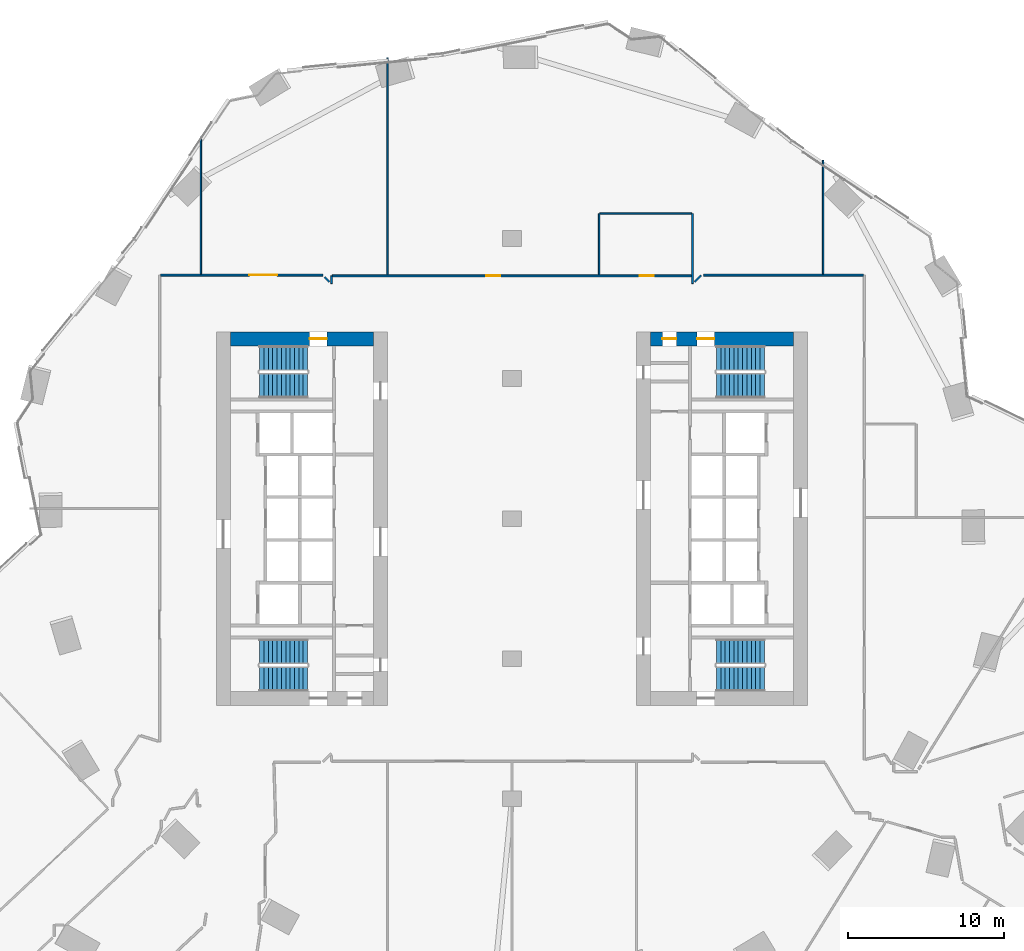
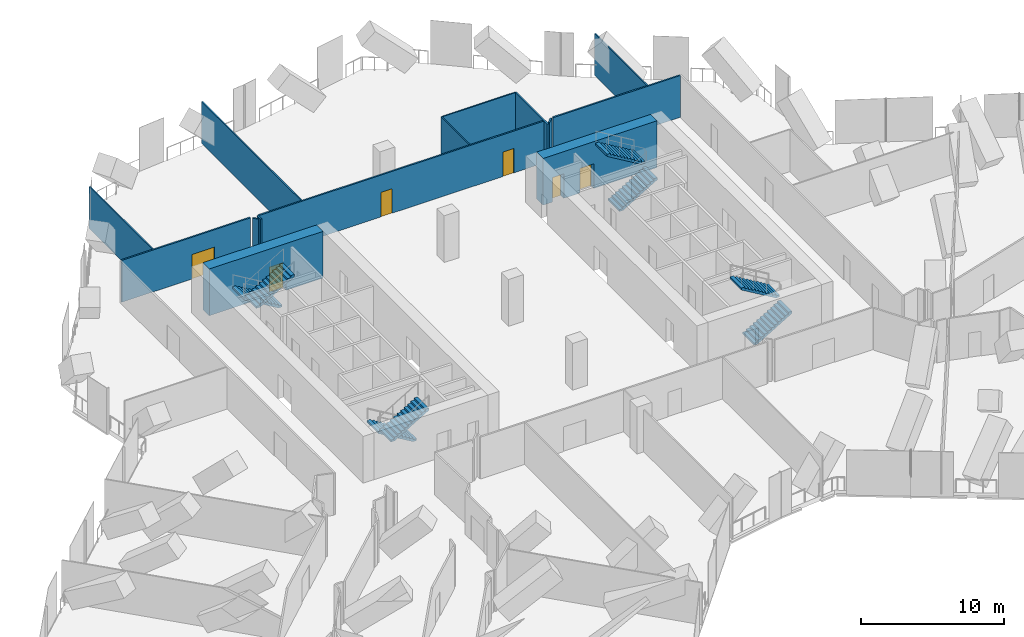
# One storey, part 28 of 31: 14 walls, 8 stair flights, 6 doors, 6 openings, 4 elements without a shape of their own.
"""IFC4 building model written with IfcOpenShell, lengths in metres."""

from ifc_helpers import new_model, si_unit, direction, frame, frame_2d, origin, place, context, subcontext, project, spatial, polyline, rectangle, outline, extrude, material, layer, layer_set, type_object, element, fill, aggregate, save


model = new_model("IFC4")

# Units and contexts
model_context = context("Model", 3, precision=1e-05, world=origin(), true_north=direction((0.0, 1.0)))
body_context = subcontext(model_context, "Body", "Model", "MODEL_VIEW")
ifc_project = project(units=[si_unit("LENGTHUNIT", "METRE"), si_unit("AREAUNIT", "SQUARE_METRE"), si_unit("VOLUMEUNIT", "CUBIC_METRE"), si_unit("PLANEANGLEUNIT", "RADIAN"), si_unit("MASSUNIT", "GRAM", prefix="KILO")], contexts=[model_context])

# Site, building, storey
site_placement = place(None, origin())
site = spatial("IfcSite", under=ifc_project, at=site_placement, CompositionType="ELEMENT")
building_placement = place(site_placement, origin())
building = spatial("IfcBuilding", under=site, at=building_placement, Name="Orlundy Tower", CompositionType="ELEMENT")
storey_placement = place(building_placement, frame((0.0, 0.0, 54.800048828125)))
storey = spatial("IfcBuildingStorey", under=building, at=storey_placement, Name="L12", CompositionType="ELEMENT", Elevation=54.800048828125)

# Wall, opening, door
ifc_material_1 = material(Name="Concrete C80/95", Category="concrete")
ifc_layer_1 = layer(ifc_material_1, 0.89990234375)
ifc_layer_set_1 = layer_set([ifc_layer_1], Name="CORE WALL 900 C80/95")
wall_type_1 = type_object("IfcWallType", Name="CORE WALL 900 C80/95", PredefinedType="SHEAR", material=ifc_layer_set_1)
wall_1_placement = place(storey_placement, frame((-18.10009765625, 11.550048828125, 0.0), z_axis=(0.0, 0.0, 1.0), x_axis=(1.0, 0.0, 0.0)))
wall_1 = element("IfcWall", 1, at=wall_1_placement, inside=storey, type_object=wall_type_1, Name="Core wall W-N L12", PredefinedType="SHEAR", context=body_context, shape_type="SweptSolid", body=[
    extrude(rectangle(XDim=9.2001953125, YDim=0.89990234375, at=frame_2d((4.60009765625, 0.0))), origin(), (0.0, 0.0, 1.0), 4.0),
])
opening_1_placement = place(wall_1_placement, frame((5.10009765625, 0.0, 0.0)))
opening_1 = element("IfcOpeningElement", 2, at=opening_1_placement, cuts=wall_1, Name="Opening 11012", PredefinedType="OPENING", context=body_context, shape_type="SweptSolid", body=[
    extrude(rectangle(XDim=1.10009765625, YDim=2.10009765625, at=frame_2d((0.550048828125, 1.050048828125))), frame((0.0, 0.4599609375, 0.0), z_axis=(0.0, -1.0, 0.0), x_axis=(1.0, 0.0, 0.0)), (0.0, 0.0, 1.0), 0.919921875),
])
ifc_material_2 = material(Name="Steel door set", Category="steel")
door_type_1 = type_object("IfcDoorType", Name="Stair Door 1100x2100", OperationType="SINGLE_SWING_LEFT", PredefinedType="DOOR", material=ifc_material_2)
door_1_placement = place(opening_1_placement, origin())
door_1 = element("IfcDoor", 3, at=door_1_placement, inside=storey, type_object=door_type_1, Name="Stair door 11012", OperationType="SINGLE_SWING_RIGHT", OverallHeight=2.10009765625, OverallWidth=1.10009765625, PredefinedType="DOOR", context=body_context, shape_type="SweptSolid", body=[
    extrude(rectangle(XDim=1.10009765625, YDim=2.10009765625, at=frame_2d((0.550048828125, 1.050048828125))), frame((0.0, 0.02490234375, 0.0), z_axis=(0.0, -1.0, 0.0), x_axis=(1.0, 0.0, 0.0)), (0.0, 0.0, 1.0), 0.050048828125),
])
fill(opening_1, door_1)

# Wall, openings, doors
wall_2_placement = place(storey_placement, frame((8.89990234375, 11.550048828125, 0.0), z_axis=(0.0, 0.0, 1.0), x_axis=(1.0, 0.0, 0.0)))
wall_2 = element("IfcWall", 4, at=wall_2_placement, inside=storey, type_object=wall_type_1, Name="Core wall E-N L12", PredefinedType="SHEAR", context=body_context, shape_type="SweptSolid", body=[
    extrude(rectangle(XDim=9.2001953125, YDim=0.89990234375, at=frame_2d((4.60009765625, 0.0))), origin(), (0.0, 0.0, 1.0), 4.0),
])
opening_2_placement = place(wall_2_placement, frame((3.0, 0.0, 0.0)))
opening_2 = element("IfcOpeningElement", 5, at=opening_2_placement, cuts=wall_2, Name="Opening 11062", PredefinedType="OPENING", context=body_context, shape_type="SweptSolid", body=[
    extrude(rectangle(XDim=1.10009765625, YDim=2.10009765625, at=frame_2d((0.550048828125, 1.050048828125))), frame((0.0, 0.4599609375, 0.0), z_axis=(0.0, -1.0, 0.0), x_axis=(1.0, 0.0, 0.0)), (0.0, 0.0, 1.0), 0.919921875),
])
opening_3_placement = place(wall_2_placement, frame((0.77001953125, 0.0, 0.0)))
opening_3 = element("IfcOpeningElement", 6, at=opening_3_placement, cuts=wall_2, Name="Opening 11064", PredefinedType="OPENING", context=body_context, shape_type="SweptSolid", body=[
    extrude(rectangle(XDim=0.89990234375, YDim=2.10009765625, at=frame_2d((0.449951171875, 1.050048828125))), frame((0.0, 0.4599609375, 0.0), z_axis=(0.0, -1.0, 0.0), x_axis=(1.0, 0.0, 0.0)), (0.0, 0.0, 1.0), 0.919921875),
])
ifc_material_3 = material(Name="Timber door set", Category="wood")
door_type_2 = type_object("IfcDoorType", Name="Room Door 900x2100", OperationType="SINGLE_SWING_LEFT", PredefinedType="DOOR", material=ifc_material_3)
door_2_placement = place(opening_3_placement, origin())
door_2 = element("IfcDoor", 7, at=door_2_placement, inside=storey, type_object=door_type_2, Name="Store door 11064", OperationType="SINGLE_SWING_LEFT", OverallHeight=2.10009765625, OverallWidth=0.89990234375, PredefinedType="DOOR", context=body_context, shape_type="SweptSolid", body=[
    extrude(rectangle(XDim=0.89990234375, YDim=2.10009765625, at=frame_2d((0.449951171875, 1.050048828125))), frame((0.0, 0.02490234375, 0.0), z_axis=(0.0, -1.0, 0.0), x_axis=(1.0, 0.0, 0.0)), (0.0, 0.0, 1.0), 0.050048828125),
])
fill(opening_3, door_2)
door_3_placement = place(opening_2_placement, origin())
door_3 = element("IfcDoor", 8, at=door_3_placement, inside=storey, type_object=door_type_1, Name="Stair door 11062", OperationType="SINGLE_SWING_LEFT", OverallHeight=2.10009765625, OverallWidth=1.10009765625, PredefinedType="DOOR", context=body_context, shape_type="SweptSolid", body=[
    extrude(rectangle(XDim=1.10009765625, YDim=2.10009765625, at=frame_2d((0.550048828125, 1.050048828125))), frame((0.0, 0.02490234375, 0.0), z_axis=(0.0, -1.0, 0.0), x_axis=(1.0, 0.0, 0.0)), (0.0, 0.0, 1.0), 0.050048828125),
])
fill(opening_2, door_3)

# Walls
ifc_material_4 = material(Name="Gypsum board partition")
ifc_layer_2 = layer(ifc_material_4, 0.10009765625)
ifc_layer_set_2 = layer_set([ifc_layer_2], Name="Floor partition 100")
wall_type_2 = type_object("IfcWallType", Name="Floor partition 100", PredefinedType="PARTITIONING", material=ifc_layer_set_2)
wall_3_placement = place(storey_placement, frame((5.64892578125, 19.60009765625, 0.0), z_axis=(0.0, 0.0, 1.0), x_axis=(1.0, 0.0, 0.0)))
element("IfcWall", 9, at=wall_3_placement, inside=storey, type_object=wall_type_2, Name="wall-int-L12-080", PredefinedType="PARTITIONING", context=body_context, shape_type="SweptSolid", body=[
    extrude(rectangle(XDim=5.88818359375, YDim=0.10009765625, at=frame_2d((2.944091796875, 0.0))), origin(), (0.0, 0.0, 1.0), 3.579833984375),
])
wall_4_placement = place(storey_placement, frame((20.0, 15.712890625, 0.0), z_axis=(0.0, 0.0, 1.0), x_axis=(0.0, 1.0, 0.0)))
element("IfcWall", 10, at=wall_4_placement, inside=storey, type_object=wall_type_2, Name="wall-int-L12-146", PredefinedType="PARTITIONING", context=body_context, shape_type="SweptSolid", body=[
    extrude(rectangle(XDim=7.31201171875, YDim=0.10009765625, at=frame_2d((3.656005859375, 0.0))), origin(), (0.0, 0.0, 1.0), 3.579833984375),
])
wall_5_placement = place(storey_placement, frame((5.59912109375, 15.6640625, 0.0), z_axis=(0.0, 0.0, 1.0), x_axis=(0.0, 1.0, 0.0)))
element("IfcWall", 11, at=wall_5_placement, inside=storey, type_object=wall_type_2, Name="wall-int-L12-150", PredefinedType="PARTITIONING", context=body_context, shape_type="SweptSolid", body=[
    extrude(rectangle(XDim=3.93603515625, YDim=0.10009765625, at=frame_2d((1.968017578125, 0.0))), origin(), (0.0, 0.0, 1.0), 3.579833984375),
])
wall_6_placement = place(storey_placement, frame((-8.0, 15.6640625, 0.0), z_axis=(0.0, 0.0, 1.0), x_axis=(0.0, 1.0, 0.0)))
element("IfcWall", 12, at=wall_6_placement, inside=storey, type_object=wall_type_2, Name="wall-int-L12-153", PredefinedType="PARTITIONING", context=body_context, shape_type="SweptSolid", body=[
    extrude(rectangle(XDim=13.94091796875, YDim=0.10009765625, at=frame_2d((6.970458984375, 0.0))), origin(), (0.0, 0.0, 1.0), 3.579833984375),
])
wall_7_placement = place(storey_placement, frame((-20.0, 15.712890625, 0.0), z_axis=(0.0, 0.0, 1.0), x_axis=(0.0, 1.0, 0.0)))
element("IfcWall", 13, at=wall_7_placement, inside=storey, type_object=wall_type_2, Name="wall-int-L12-157", PredefinedType="PARTITIONING", context=body_context, shape_type="SweptSolid", body=[
    extrude(rectangle(XDim=8.8291015625, YDim=0.10009765625, at=frame_2d((4.41455078125, 0.0))), origin(), (0.0, 0.0, 1.0), 3.579833984375),
])
ifc_material_5 = material(Name="Gypsum board partition, double layer")
ifc_layer_3 = layer(ifc_material_5, 0.125)
ifc_layer_set_3 = layer_set([ifc_layer_3], Name="Floor partition 125")
wall_type_3 = type_object("IfcWallType", Name="Floor partition 125", PredefinedType="PARTITIONING", material=ifc_layer_set_3)
wall_8_placement = place(storey_placement, frame((-12.0458984375, 15.52392578125, 0.0), z_axis=(0.0, 0.0, 1.0), x_axis=(0.707106781187, -0.707106781187, 0.0)))
element("IfcWall", 14, at=wall_8_placement, inside=storey, type_object=wall_type_3, Name="wall-int-L12-025", PredefinedType="PARTITIONING", context=body_context, shape_type="SweptSolid", body=[
    extrude(rectangle(XDim=0.449462890625, YDim=0.125, at=frame_2d((0.224609375, 0.0))), origin(), (0.0, 0.0, 1.0), 3.579833984375),
])

# Wall, openings, doors
wall_9_placement = place(storey_placement, frame((-11.537109375, 15.60107421875, 0.0), z_axis=(0.0, 0.0, 1.0), x_axis=(1.0, 0.0, 0.0)))
wall_9 = element("IfcWall", 15, at=wall_9_placement, inside=storey, type_object=wall_type_3, Name="wall-int-L12-077", PredefinedType="PARTITIONING", context=body_context, shape_type="SweptSolid", body=[
    extrude(rectangle(XDim=23.07421875, YDim=0.125, at=frame_2d((11.537109375, 0.0))), origin(), (0.0, 0.0, 1.0), 3.579833984375),
])
opening_4_placement = place(wall_9_placement, frame((9.887451171875, 0.0, 0.0)))
opening_4 = element("IfcOpeningElement", 16, at=opening_4_placement, cuts=wall_9, Name="Opening 11125", PredefinedType="OPENING", context=body_context, shape_type="SweptSolid", body=[
    extrude(rectangle(XDim=0.89990234375, YDim=2.10009765625, at=frame_2d((0.449951171875, 1.050048828125))), frame((0.0, 0.072509765625, 0.0), z_axis=(0.0, -1.0, 0.0), x_axis=(1.0, 0.0, 0.0)), (0.0, 0.0, 1.0), 0.14501953125),
])
opening_5_placement = place(wall_9_placement, frame((19.736572265625, 0.0, 0.0)))
opening_5 = element("IfcOpeningElement", 17, at=opening_5_placement, cuts=wall_9, Name="Opening 11128", PredefinedType="OPENING", context=body_context, shape_type="SweptSolid", body=[
    extrude(rectangle(XDim=0.89990234375, YDim=2.10009765625, at=frame_2d((0.449951171875, 1.050048828125))), frame((0.0, 0.072509765625, 0.0), z_axis=(0.0, -1.0, 0.0), x_axis=(1.0, 0.0, 0.0)), (0.0, 0.0, 1.0), 0.14501953125),
])
ifc_material_6 = material(Name="Timber door leaf", Category="wood")
door_type_3 = type_object("IfcDoorType", Name="Floor door single 900 FD30S", OperationType="NOTDEFINED", PredefinedType="DOOR", material=ifc_material_6)
door_4_placement = place(opening_4_placement, origin())
door_4 = element("IfcDoor", 18, at=door_4_placement, inside=storey, type_object=door_type_3, Name="Door 11125", OperationType="SINGLE_SWING_LEFT", OverallHeight=2.10009765625, OverallWidth=0.89990234375, PredefinedType="DOOR", context=body_context, shape_type="SweptSolid", body=[
    extrude(rectangle(XDim=0.89990234375, YDim=2.10009765625, at=frame_2d((0.449951171875, 1.050048828125))), frame((0.0, 0.02490234375, 0.0), z_axis=(0.0, -1.0, 0.0), x_axis=(1.0, 0.0, 0.0)), (0.0, 0.0, 1.0), 0.050048828125),
])
fill(opening_4, door_4)
door_5_placement = place(opening_5_placement, origin())
door_5 = element("IfcDoor", 19, at=door_5_placement, inside=storey, type_object=door_type_3, Name="Door 11128", OperationType="SINGLE_SWING_RIGHT", OverallHeight=2.10009765625, OverallWidth=0.89990234375, PredefinedType="DOOR", context=body_context, shape_type="SweptSolid", body=[
    extrude(rectangle(XDim=0.89990234375, YDim=2.10009765625, at=frame_2d((0.449951171875, 1.050048828125))), frame((0.0, 0.02490234375, 0.0), z_axis=(0.0, -1.0, 0.0), x_axis=(1.0, 0.0, 0.0)), (0.0, 0.0, 1.0), 0.050048828125),
])
fill(opening_5, door_5)

# Wall, opening, door
wall_10_placement = place(storey_placement, frame((-22.5869140625, 15.65087890625, 0.0), z_axis=(0.0, 0.0, 1.0), x_axis=(1.0, 0.0, 0.0)))
wall_10 = element("IfcWall", 20, at=wall_10_placement, inside=storey, type_object=wall_type_3, Name="wall-int-L12-078", PredefinedType="PARTITIONING", context=body_context, shape_type="SweptSolid", body=[
    extrude(rectangle(XDim=10.427001953125, YDim=0.125, at=frame_2d((5.21337890625, 0.0))), origin(), (0.0, 0.0, 1.0), 3.579833984375),
])
opening_6_placement = place(wall_10_placement, frame((5.6875, 0.0, 0.0)))
opening_6 = element("IfcOpeningElement", 21, at=opening_6_placement, cuts=wall_10, Name="Opening 11126", PredefinedType="OPENING", context=body_context, shape_type="SweptSolid", body=[
    extrude(rectangle(XDim=1.800048828125, YDim=2.10009765625, at=frame_2d((0.89990234375, 1.050048828125))), frame((0.0, 0.072509765625, 0.0), z_axis=(0.0, -1.0, 0.0), x_axis=(1.0, 0.0, 0.0)), (0.0, 0.0, 1.0), 0.14501953125),
])
ifc_material_7 = material(Name="Timber door leaf", Category="wood")
door_type_4 = type_object("IfcDoorType", Name="Floor door double 1800 FD30S", OperationType="NOTDEFINED", PredefinedType="DOOR", material=ifc_material_7)
door_6_placement = place(opening_6_placement, origin())
door_6 = element("IfcDoor", 22, at=door_6_placement, inside=storey, type_object=door_type_4, Name="Door 11126", OperationType="DOUBLE_DOOR_SINGLE_SWING", OverallHeight=2.10009765625, OverallWidth=1.800048828125, PredefinedType="DOOR", context=body_context, shape_type="SweptSolid", body=[
    extrude(rectangle(XDim=1.800048828125, YDim=2.10009765625, at=frame_2d((0.89990234375, 1.050048828125))), frame((0.0, 0.02490234375, 0.0), z_axis=(0.0, -1.0, 0.0), x_axis=(1.0, 0.0, 0.0)), (0.0, 0.0, 1.0), 0.050048828125),
])
fill(opening_6, door_6)

# Walls
wall_11_placement = place(storey_placement, frame((12.31103515625, 15.65087890625, 0.0), z_axis=(0.0, 0.0, 1.0), x_axis=(1.0, 0.0, 0.0)))
element("IfcWall", 23, at=wall_11_placement, inside=storey, type_object=wall_type_3, Name="wall-int-L12-079", PredefinedType="PARTITIONING", context=body_context, shape_type="SweptSolid", body=[
    extrude(rectangle(XDim=10.27587890625, YDim=0.125, at=frame_2d((5.137939453125, 0.0))), origin(), (0.0, 0.0, 1.0), 3.579833984375),
])
wall_12_placement = place(storey_placement, frame((11.73095703125, 15.20703125, 0.0), z_axis=(0.0, 0.0, 1.0), x_axis=(0.707311295066, 0.70690220814, 0.0)))
element("IfcWall", 24, at=wall_12_placement, inside=storey, type_object=wall_type_3, Name="wall-int-L12-113", PredefinedType="PARTITIONING", context=body_context, shape_type="SweptSolid", body=[
    extrude(rectangle(XDim=0.5966796875, YDim=0.125, at=frame_2d((0.29833984375, 0.0))), origin(), (0.0, 0.0, 1.0), 3.579833984375),
])
wall_13_placement = place(storey_placement, frame((-11.60107421875, 15.092041015625, 0.0), z_axis=(0.0, 0.0, 1.0), x_axis=(0.00192214926, 0.999998152669, 0.0)))
element("IfcWall", 25, at=wall_13_placement, inside=storey, type_object=wall_type_3, Name="wall-int-L12-136", PredefinedType="PARTITIONING", context=body_context, shape_type="SweptSolid", body=[
    extrude(rectangle(XDim=0.508056640625, YDim=0.125, at=frame_2d((0.25390625, 0.0))), origin(), (0.0, 0.0, 1.0), 3.579833984375),
])
wall_14_placement = place(storey_placement, frame((11.60107421875, 15.092041015625, 0.0), z_axis=(0.0, 0.0, 1.0), x_axis=(0.0, 1.0, 0.0)))
element("IfcWall", 26, at=wall_14_placement, inside=storey, type_object=wall_type_3, Name="wall-int-L12-148", PredefinedType="PARTITIONING", context=body_context, shape_type="SweptSolid", body=[
    extrude(rectangle(XDim=4.507080078125, YDim=0.125, at=frame_2d((2.25341796875, 0.0))), origin(), (0.0, 0.0, 1.0), 3.579833984375),
])

# Stair, stair flights
ifc_material_8 = material(Name="Concrete C50/60", Category="concrete")
stair_type = type_object("IfcStairType", Name="Exit Stair 24 risers", PredefinedType="HALF_TURN_STAIR", material=ifc_material_8)
stair_1_placement = place(storey_placement, origin())
stair_1 = element("IfcStair", 27, at=stair_1_placement, inside=storey, type_object=stair_type, Name="L12 Exit Stair ST-W1", PredefinedType="HALF_TURN_STAIR")
ifc_material_9 = material(Name="Concrete C50/60", Category="concrete")
stair_flight_type = type_object("IfcStairFlightType", Name="Stair Flight 12 risers", PredefinedType="STRAIGHT", material=ifc_material_9)
stair_flight_1_placement = place(storey_placement, frame((-13.139892578125, 10.300048828125, 0.0), z_axis=(0.0, 0.0, 1.0), x_axis=(-1.0, 0.0, 0.0)))
stair_flight_1 = element("IfcStairFlight", 28, at=stair_flight_1_placement, type_object=stair_flight_type, Name="ST-W1 flight 1", NumberOfRisers=12, NumberOfTreads=11, PredefinedType="STRAIGHT", RiserHeight=0.166666667, TreadLength=0.28, context=body_context, shape_type="SweptSolid", body=[
    extrude(outline(polyline([(0.0, 0.0), (0.0, 0.166748046875), (0.280029296875, 0.166748046875), (0.280029296875, 0.333251953125), (0.56005859375, 0.333251953125), (0.56005859375, 0.5), (0.840087890625, 0.5), (0.840087890625, 0.666748046875), (1.1201171875, 0.666748046875), (1.1201171875, 0.833251953125), (1.39990234375, 0.833251953125), (1.39990234375, 1.0), (1.679931640625, 1.0), (1.679931640625, 1.166748046875), (1.9599609375, 1.166748046875), (1.9599609375, 1.333251953125), (2.239990234375, 1.333251953125), (2.239990234375, 1.5), (2.52001953125, 1.5), (2.52001953125, 1.666748046875), (2.800048828125, 1.666748046875), (2.800048828125, 1.833251953125), (3.080078125, 1.833251953125), (3.080078125, 2.0), (3.080078125, 1.658935546875), (0.29296875, 0.0), (0.0, 0.0)])), frame((0.0, 0.800048828125, 0.0), z_axis=(0.0, -1.0, 0.0), x_axis=(1.0, 0.0, 0.0)), (0.0, 0.0, 1.0), 1.60009765625),
])
stair_flight_2_placement = place(storey_placement, frame((-16.219970703125, 8.550048828125, 2.0), z_axis=(0.0, 0.0, 1.0), x_axis=(1.0, 0.0, 0.0)))
stair_flight_2 = element("IfcStairFlight", 29, at=stair_flight_2_placement, type_object=stair_flight_type, Name="ST-W1 flight 2", NumberOfRisers=12, NumberOfTreads=11, PredefinedType="STRAIGHT", RiserHeight=0.166666667, TreadLength=0.28, context=body_context, shape_type="SweptSolid", body=[
    extrude(outline(polyline([(0.0, 0.0), (0.0, 0.166748046875), (0.280029296875, 0.166748046875), (0.280029296875, 0.333251953125), (0.56005859375, 0.333251953125), (0.56005859375, 0.5), (0.840087890625, 0.5), (0.840087890625, 0.666748046875), (1.1201171875, 0.666748046875), (1.1201171875, 0.833251953125), (1.39990234375, 0.833251953125), (1.39990234375, 1.0), (1.679931640625, 1.0), (1.679931640625, 1.166748046875), (1.9599609375, 1.166748046875), (1.9599609375, 1.333251953125), (2.239990234375, 1.333251953125), (2.239990234375, 1.5), (2.52001953125, 1.5), (2.52001953125, 1.666748046875), (2.800048828125, 1.666748046875), (2.800048828125, 1.833251953125), (3.080078125, 1.833251953125), (3.080078125, 2.0), (3.080078125, 1.658935546875), (0.29296875, 0.0), (0.0, 0.0)])), frame((0.0, 0.800048828125, 0.0), z_axis=(0.0, -1.0, 0.0), x_axis=(1.0, 0.0, 0.0)), (0.0, 0.0, 1.0), 1.60009765625),
])
aggregate(stair_1, [stair_flight_1, stair_flight_2])

stair_2_placement = place(storey_placement, origin())
stair_2 = element("IfcStair", 30, at=stair_2_placement, inside=storey, type_object=stair_type, Name="L12 Exit Stair ST-W2", PredefinedType="HALF_TURN_STAIR")
stair_flight_3_placement = place(storey_placement, frame((-13.139892578125, -8.550048828125, 0.0), z_axis=(0.0, 0.0, 1.0), x_axis=(-1.0, 0.0, 0.0)))
stair_flight_3 = element("IfcStairFlight", 31, at=stair_flight_3_placement, type_object=stair_flight_type, Name="ST-W2 flight 1", NumberOfRisers=12, NumberOfTreads=11, PredefinedType="STRAIGHT", RiserHeight=0.166666667, TreadLength=0.28, context=body_context, shape_type="SweptSolid", body=[
    extrude(outline(polyline([(0.0, 0.0), (0.0, 0.166748046875), (0.280029296875, 0.166748046875), (0.280029296875, 0.333251953125), (0.56005859375, 0.333251953125), (0.56005859375, 0.5), (0.840087890625, 0.5), (0.840087890625, 0.666748046875), (1.1201171875, 0.666748046875), (1.1201171875, 0.833251953125), (1.39990234375, 0.833251953125), (1.39990234375, 1.0), (1.679931640625, 1.0), (1.679931640625, 1.166748046875), (1.9599609375, 1.166748046875), (1.9599609375, 1.333251953125), (2.239990234375, 1.333251953125), (2.239990234375, 1.5), (2.52001953125, 1.5), (2.52001953125, 1.666748046875), (2.800048828125, 1.666748046875), (2.800048828125, 1.833251953125), (3.080078125, 1.833251953125), (3.080078125, 2.0), (3.080078125, 1.658935546875), (0.29296875, 0.0), (0.0, 0.0)])), frame((0.0, 0.800048828125, 0.0), z_axis=(0.0, -1.0, 0.0), x_axis=(1.0, 0.0, 0.0)), (0.0, 0.0, 1.0), 1.60009765625),
])
stair_flight_4_placement = place(storey_placement, frame((-16.219970703125, -10.300048828125, 2.0), z_axis=(0.0, 0.0, 1.0), x_axis=(1.0, 0.0, 0.0)))
stair_flight_4 = element("IfcStairFlight", 32, at=stair_flight_4_placement, type_object=stair_flight_type, Name="ST-W2 flight 2", NumberOfRisers=12, NumberOfTreads=11, PredefinedType="STRAIGHT", RiserHeight=0.166666667, TreadLength=0.28, context=body_context, shape_type="SweptSolid", body=[
    extrude(outline(polyline([(0.0, 0.0), (0.0, 0.166748046875), (0.280029296875, 0.166748046875), (0.280029296875, 0.333251953125), (0.56005859375, 0.333251953125), (0.56005859375, 0.5), (0.840087890625, 0.5), (0.840087890625, 0.666748046875), (1.1201171875, 0.666748046875), (1.1201171875, 0.833251953125), (1.39990234375, 0.833251953125), (1.39990234375, 1.0), (1.679931640625, 1.0), (1.679931640625, 1.166748046875), (1.9599609375, 1.166748046875), (1.9599609375, 1.333251953125), (2.239990234375, 1.333251953125), (2.239990234375, 1.5), (2.52001953125, 1.5), (2.52001953125, 1.666748046875), (2.800048828125, 1.666748046875), (2.800048828125, 1.833251953125), (3.080078125, 1.833251953125), (3.080078125, 2.0), (3.080078125, 1.658935546875), (0.29296875, 0.0), (0.0, 0.0)])), frame((0.0, 0.800048828125, 0.0), z_axis=(0.0, -1.0, 0.0), x_axis=(1.0, 0.0, 0.0)), (0.0, 0.0, 1.0), 1.60009765625),
])
aggregate(stair_2, [stair_flight_3, stair_flight_4])

stair_3_placement = place(storey_placement, origin())
stair_3 = element("IfcStair", 33, at=stair_3_placement, inside=storey, type_object=stair_type, Name="L12 Exit Stair ST-E1", PredefinedType="HALF_TURN_STAIR")
stair_flight_5_placement = place(storey_placement, frame((13.139892578125, -10.300048828125, 0.0), z_axis=(0.0, 0.0, 1.0), x_axis=(1.0, 0.0, 0.0)))
stair_flight_5 = element("IfcStairFlight", 34, at=stair_flight_5_placement, type_object=stair_flight_type, Name="ST-E1 flight 1", NumberOfRisers=12, NumberOfTreads=11, PredefinedType="STRAIGHT", RiserHeight=0.166666667, TreadLength=0.28, context=body_context, shape_type="SweptSolid", body=[
    extrude(outline(polyline([(0.0, 0.0), (0.0, 0.166748046875), (0.280029296875, 0.166748046875), (0.280029296875, 0.333251953125), (0.56005859375, 0.333251953125), (0.56005859375, 0.5), (0.840087890625, 0.5), (0.840087890625, 0.666748046875), (1.1201171875, 0.666748046875), (1.1201171875, 0.833251953125), (1.39990234375, 0.833251953125), (1.39990234375, 1.0), (1.679931640625, 1.0), (1.679931640625, 1.166748046875), (1.9599609375, 1.166748046875), (1.9599609375, 1.333251953125), (2.239990234375, 1.333251953125), (2.239990234375, 1.5), (2.52001953125, 1.5), (2.52001953125, 1.666748046875), (2.800048828125, 1.666748046875), (2.800048828125, 1.833251953125), (3.080078125, 1.833251953125), (3.080078125, 2.0), (3.080078125, 1.658935546875), (0.29296875, 0.0), (0.0, 0.0)])), frame((0.0, 0.800048828125, 0.0), z_axis=(0.0, -1.0, 0.0), x_axis=(1.0, 0.0, 0.0)), (0.0, 0.0, 1.0), 1.60009765625),
])
stair_flight_6_placement = place(storey_placement, frame((16.219970703125, -8.550048828125, 2.0), z_axis=(0.0, 0.0, 1.0), x_axis=(-1.0, 0.0, 0.0)))
stair_flight_6 = element("IfcStairFlight", 35, at=stair_flight_6_placement, type_object=stair_flight_type, Name="ST-E1 flight 2", NumberOfRisers=12, NumberOfTreads=11, PredefinedType="STRAIGHT", RiserHeight=0.166666667, TreadLength=0.28, context=body_context, shape_type="SweptSolid", body=[
    extrude(outline(polyline([(0.0, 0.0), (0.0, 0.166748046875), (0.280029296875, 0.166748046875), (0.280029296875, 0.333251953125), (0.56005859375, 0.333251953125), (0.56005859375, 0.5), (0.840087890625, 0.5), (0.840087890625, 0.666748046875), (1.1201171875, 0.666748046875), (1.1201171875, 0.833251953125), (1.39990234375, 0.833251953125), (1.39990234375, 1.0), (1.679931640625, 1.0), (1.679931640625, 1.166748046875), (1.9599609375, 1.166748046875), (1.9599609375, 1.333251953125), (2.239990234375, 1.333251953125), (2.239990234375, 1.5), (2.52001953125, 1.5), (2.52001953125, 1.666748046875), (2.800048828125, 1.666748046875), (2.800048828125, 1.833251953125), (3.080078125, 1.833251953125), (3.080078125, 2.0), (3.080078125, 1.658935546875), (0.29296875, 0.0), (0.0, 0.0)])), frame((0.0, 0.800048828125, 0.0), z_axis=(0.0, -1.0, 0.0), x_axis=(1.0, 0.0, 0.0)), (0.0, 0.0, 1.0), 1.60009765625),
])
aggregate(stair_3, [stair_flight_5, stair_flight_6])

stair_4_placement = place(storey_placement, origin())
stair_4 = element("IfcStair", 36, at=stair_4_placement, inside=storey, type_object=stair_type, Name="L12 Exit Stair ST-E2", PredefinedType="HALF_TURN_STAIR")
stair_flight_7_placement = place(storey_placement, frame((13.139892578125, 8.550048828125, 0.0), z_axis=(0.0, 0.0, 1.0), x_axis=(1.0, 0.0, 0.0)))
stair_flight_7 = element("IfcStairFlight", 37, at=stair_flight_7_placement, type_object=stair_flight_type, Name="ST-E2 flight 1", NumberOfRisers=12, NumberOfTreads=11, PredefinedType="STRAIGHT", RiserHeight=0.166666667, TreadLength=0.28, context=body_context, shape_type="SweptSolid", body=[
    extrude(outline(polyline([(0.0, 0.0), (0.0, 0.166748046875), (0.280029296875, 0.166748046875), (0.280029296875, 0.333251953125), (0.56005859375, 0.333251953125), (0.56005859375, 0.5), (0.840087890625, 0.5), (0.840087890625, 0.666748046875), (1.1201171875, 0.666748046875), (1.1201171875, 0.833251953125), (1.39990234375, 0.833251953125), (1.39990234375, 1.0), (1.679931640625, 1.0), (1.679931640625, 1.166748046875), (1.9599609375, 1.166748046875), (1.9599609375, 1.333251953125), (2.239990234375, 1.333251953125), (2.239990234375, 1.5), (2.52001953125, 1.5), (2.52001953125, 1.666748046875), (2.800048828125, 1.666748046875), (2.800048828125, 1.833251953125), (3.080078125, 1.833251953125), (3.080078125, 2.0), (3.080078125, 1.658935546875), (0.29296875, 0.0), (0.0, 0.0)])), frame((0.0, 0.800048828125, 0.0), z_axis=(0.0, -1.0, 0.0), x_axis=(1.0, 0.0, 0.0)), (0.0, 0.0, 1.0), 1.60009765625),
])
stair_flight_8_placement = place(storey_placement, frame((16.219970703125, 10.300048828125, 2.0), z_axis=(0.0, 0.0, 1.0), x_axis=(-1.0, 0.0, 0.0)))
stair_flight_8 = element("IfcStairFlight", 38, at=stair_flight_8_placement, type_object=stair_flight_type, Name="ST-E2 flight 2", NumberOfRisers=12, NumberOfTreads=11, PredefinedType="STRAIGHT", RiserHeight=0.166666667, TreadLength=0.28, context=body_context, shape_type="SweptSolid", body=[
    extrude(outline(polyline([(0.0, 0.0), (0.0, 0.166748046875), (0.280029296875, 0.166748046875), (0.280029296875, 0.333251953125), (0.56005859375, 0.333251953125), (0.56005859375, 0.5), (0.840087890625, 0.5), (0.840087890625, 0.666748046875), (1.1201171875, 0.666748046875), (1.1201171875, 0.833251953125), (1.39990234375, 0.833251953125), (1.39990234375, 1.0), (1.679931640625, 1.0), (1.679931640625, 1.166748046875), (1.9599609375, 1.166748046875), (1.9599609375, 1.333251953125), (2.239990234375, 1.333251953125), (2.239990234375, 1.5), (2.52001953125, 1.5), (2.52001953125, 1.666748046875), (2.800048828125, 1.666748046875), (2.800048828125, 1.833251953125), (3.080078125, 1.833251953125), (3.080078125, 2.0), (3.080078125, 1.658935546875), (0.29296875, 0.0), (0.0, 0.0)])), frame((0.0, 0.800048828125, 0.0), z_axis=(0.0, -1.0, 0.0), x_axis=(1.0, 0.0, 0.0)), (0.0, 0.0, 1.0), 1.60009765625),
])
aggregate(stair_4, [stair_flight_7, stair_flight_8])

save(model, "model.ifc")
